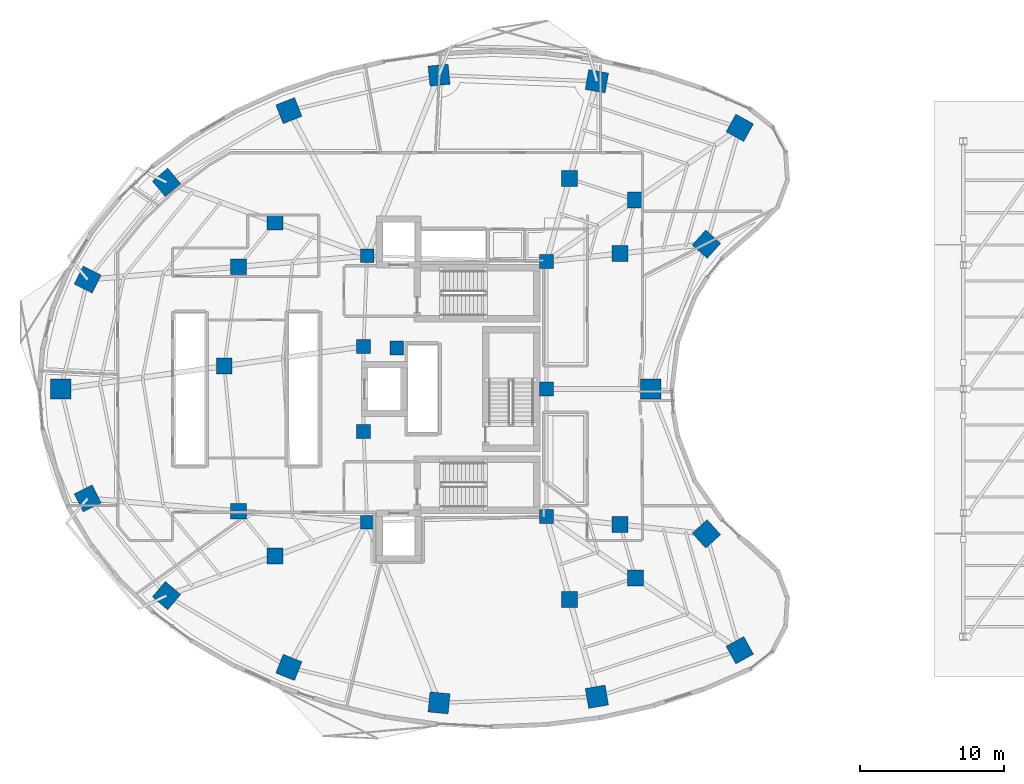
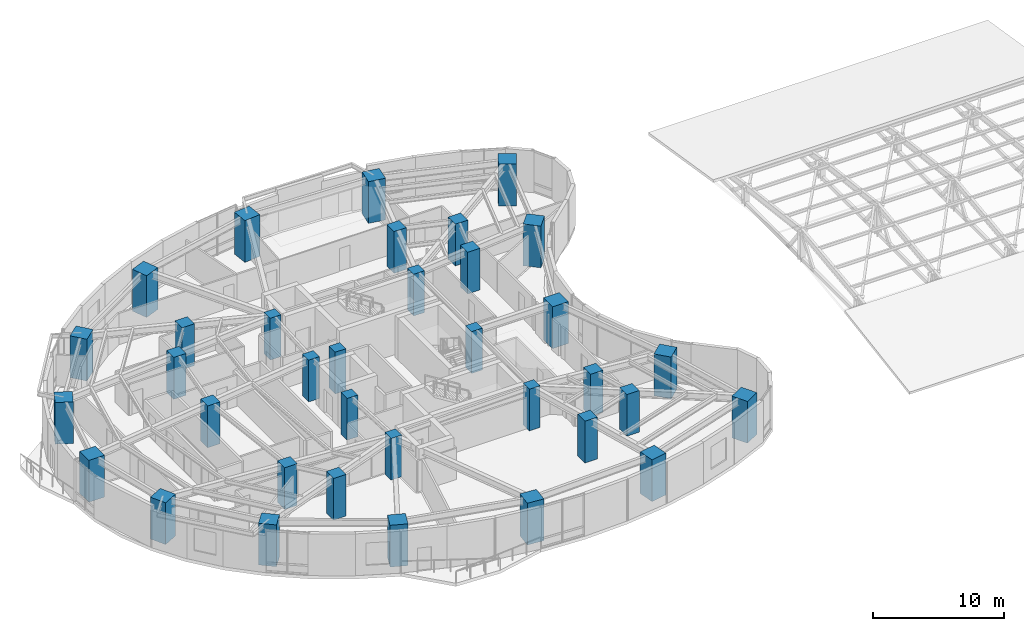
# One storey, part 1 of 17: 35 columns.
"""IFC4 building model written with IfcOpenShell, lengths in metres."""

from ifc_helpers import new_model, si_unit, direction, frame, origin, origin_2d, place, context, subcontext, project, spatial, rectangle, extrude, material, material_profile, profile_set, type_object, element, save


model = new_model("IFC4")

# Units and contexts
model_context = context("Model", 3, precision=1e-05, world=origin(), true_north=direction((0.0, 1.0)))
body_context = subcontext(model_context, "Body", "Model", "MODEL_VIEW")
ifc_project = project(units=[si_unit("LENGTHUNIT", "METRE"), si_unit("AREAUNIT", "SQUARE_METRE"), si_unit("VOLUMEUNIT", "CUBIC_METRE"), si_unit("PLANEANGLEUNIT", "RADIAN"), si_unit("MASSUNIT", "GRAM", prefix="KILO")], contexts=[model_context])

# Site, building, storey
site_placement = place(None, origin())
site = spatial("IfcSite", under=ifc_project, at=site_placement, CompositionType="ELEMENT")
building_placement = place(site_placement, origin())
building = spatial("IfcBuilding", under=site, at=building_placement, Name="Korentha Bioscience Tower", CompositionType="ELEMENT")
storey_placement = place(building_placement, frame((0.0, 0.0, 25.800048828125)))
storey = spatial("IfcBuildingStorey", under=building, at=storey_placement, Name="L05", CompositionType="ELEMENT", Elevation=25.800048828125)

# Columns
ifc_material_1 = material(Name="Concrete C65", Category="concrete")
ifc_material_profile_1 = material_profile(ifc_material_1, rectangle(XDim=0.949951171875, YDim=0.949951171875, at=origin_2d()), Name="Concrete C65")
ifc_profile_set_1 = profile_set([ifc_material_profile_1], Name="Concrete C65 (COL-CP09)")
column_type_1 = type_object("IfcColumnType", Name="Core Pilaster Column RC 950x950", PredefinedType="PILASTER", material=ifc_profile_set_1)
for number, where, z_axis, x_axis, name in (
    (1, (37.550048828125, 35.85009765625, -0.00048828125), (0.0, 0.0, 1.0), (1.0, 0.0, 0.0), "L05 Core Pilaster CP-01"),
    (2, (25.10009765625, 36.25, -0.00048828125), (0.0, 0.0, 1.0), (1.0, 0.0, 0.0), "L05 Core Pilaster CP-02"),
    (3, (24.85009765625, 29.949951171875, -0.00048828125), (0.0, 0.0, 1.0), (1.0, 0.0, 0.0), "L05 Core Pilaster CP-03"),
    (4, (27.14990234375, 29.85009765625, -0.00048828125), (0.0, 0.0, 1.0), (1.0, 0.0, 0.0), "L05 Core Pilaster CP-04"),
    (5, (24.85009765625, 24.050048828125, -0.00048828125), (0.0, 0.0, 1.0), (1.0, 0.0, 0.0), "L05 Core Pilaster CP-05"),
    (6, (25.10009765625, 17.75, -0.00048828125), (0.0, 0.0, 1.0), (1.0, 0.0, 0.0), "L05 Core Pilaster CP-06"),
    (7, (37.550048828125, 18.14990234375, -0.00048828125), (0.0, 0.0, 1.0), (1.0, 0.0, 0.0), "L05 Core Pilaster CP-07"),
    (8, (37.550048828125, 27.0, -0.00048828125), (0.0, 0.0, 1.0), (1.0, 0.0, 0.0), "L05 Core Pilaster CP-08"),
):
    element("IfcColumn", number, at=place(storey_placement, frame(where, z_axis=z_axis, x_axis=x_axis)), inside=storey, type_object=column_type_1, Name=name, PredefinedType="PILASTER", context=body_context, shape_type="SweptSolid", body=[
        extrude(rectangle(XDim=0.949951171875, YDim=0.949951171875, at=origin_2d()), origin(), (0.0, 0.0, 1.0), 3.90087890625),
    ])
ifc_material_2 = material(Name="Concrete C80", Category="concrete")
ifc_material_profile_2 = material_profile(ifc_material_2, rectangle(XDim=1.10009765625, YDim=1.10009765625, at=origin_2d()), Name="Concrete C80")
ifc_profile_set_2 = profile_set([ifc_material_profile_2], Name="Concrete C80 (COL-MR11)")
column_type_2 = type_object("IfcColumnType", Name="Mid-Ring Lab Column RC 1100x1100", PredefinedType="COLUMN", material=ifc_profile_set_2)
for number, where, z_axis, x_axis, name in (
    (9, (43.7265625, 40.121337890625, -0.00048828125), (0.0, 0.0, 1.0), (1.0, 0.0, 0.0), "L05 Mid-Ring Column 01"),
    (10, (39.1611328125, 41.607666015625, -0.00048828125), (0.0, 0.0, 1.0), (1.0, 0.0, 0.0), "L05 Mid-Ring Column 02"),
    (11, (18.692138671875, 38.5947265625, -0.00048828125), (0.0, 0.0, 1.0), (1.0, 0.0, 0.0), "L05 Mid-Ring Column 05"),
    (12, (16.174072265625, 35.489013671875, -0.00048828125), (0.0, 0.0, 1.0), (1.0, 0.0, 0.0), "L05 Mid-Ring Column 06"),
    (13, (15.1787109375, 28.593505859375, -0.00048828125), (0.0, 0.0, 1.0), (1.0, 0.0, 0.0), "L05 Mid-Ring Column 07"),
    (14, (16.174072265625, 18.510986328125, -0.00048828125), (0.0, 0.0, 1.0), (1.0, 0.0, 0.0), "L05 Mid-Ring Column 08"),
    (15, (18.692138671875, 15.4052734375, -0.00048828125), (0.0, 0.0, 1.0), (1.0, 0.0, 0.0), "L05 Mid-Ring Column 09"),
    (16, (39.1611328125, 12.392333984375, -0.00048828125), (0.0, 0.0, 1.0), (1.0, 0.0, 0.0), "L05 Mid-Ring Column 12"),
    (17, (43.7265625, 13.878662109375, -0.00048828125), (0.0, 0.0, 1.0), (1.0, 0.0, 0.0), "L05 Mid-Ring Column 13"),
    (18, (42.66162109375, 17.593017578125, -0.00048828125), (0.0, 0.0, 1.0), (1.0, 0.0, 0.0), "L05 Mid-Ring Column 14"),
    (19, (42.66162109375, 36.406982421875, -0.00048828125), (0.0, 0.0, 1.0), (1.0, 0.0, 0.0), "L05 Mid-Ring Column 16"),
):
    element("IfcColumn", number, at=place(storey_placement, frame(where, z_axis=z_axis, x_axis=x_axis)), inside=storey, type_object=column_type_2, Name=name, PredefinedType="COLUMN", context=body_context, shape_type="SweptSolid", body=[
        extrude(rectangle(XDim=1.10009765625, YDim=1.10009765625, at=origin_2d()), origin(), (0.0, 0.0, 1.0), 3.90087890625),
    ])
ifc_material_profile_3 = material_profile(ifc_material_2, rectangle(XDim=1.39990234375, YDim=1.39990234375, at=origin_2d()), Name="Concrete C80")
ifc_profile_set_3 = profile_set([ifc_material_profile_3], Name="Concrete C80 (COL-P14)")
column_type_3 = type_object("IfcColumnType", Name="Perimeter Column RC 1400x1400", PredefinedType="COLUMN", material=ifc_profile_set_3)
for number, where, z_axis, x_axis, name in (
    (20, (50.977294921875, 45.135498046875, -0.00048828125), (0.0, 0.0, 1.0), (-0.874535078577, 0.484962262797, 0.0), "L05 Perimeter Column 01"),
    (21, (41.052490234375, 48.36669921875, -0.00048828125), (0.0, 0.0, 1.0), (-0.984868307662, 0.173304404339, 0.0), "L05 Perimeter Column 02"),
    (22, (30.09423828125, 48.79248046875, -0.00048828125), (0.0, 0.0, 1.0), (0.995462868748, 0.095150811579, 0.0), "L05 Perimeter Column 03"),
    (23, (19.66650390625, 46.328857421875, -0.00048828125), (0.0, 0.0, 1.0), (0.930225540858, 0.366988341962, 0.0), "L05 Perimeter Column 04"),
    (24, (11.169921875, 41.34716796875, -0.00048828125), (0.0, 0.0, 1.0), (0.764246456939, 0.644924300253, 0.0), "L05 Perimeter Column 05"),
    (25, (5.69580078125, 34.595703125, -0.00048828125), (0.0, 0.0, 1.0), (0.453057191132, 0.891481453292, 0.0), "L05 Perimeter Column 06"),
    (26, (3.825439453125, 27.000732421875, -0.00048828125), (0.0, 0.0, 1.0), (0.0, 1.0, 0.0), "L05 Perimeter Column 07"),
    (27, (5.69580078125, 19.404296875, -0.00048828125), (0.0, 0.0, 1.0), (-0.453057191132, 0.891481453292, 0.0), "L05 Perimeter Column 08"),
    (28, (11.169921875, 12.65283203125, -0.00048828125), (0.0, 0.0, 1.0), (-0.764246456939, 0.644924300253, 0.0), "L05 Perimeter Column 09"),
    (29, (19.66650390625, 7.671142578125, -0.00048828125), (0.0, 0.0, 1.0), (-0.930225540858, 0.366988341962, 0.0), "L05 Perimeter Column 10"),
    (30, (30.09423828125, 5.20751953125, -0.00048828125), (0.0, 0.0, 1.0), (-0.995462868748, 0.095150811579, 0.0), "L05 Perimeter Column 11"),
    (31, (41.052490234375, 5.63330078125, -0.00048828125), (0.0, 0.0, 1.0), (0.984868307662, 0.173304404339, 0.0), "L05 Perimeter Column 12"),
    (32, (50.977294921875, 8.864501953125, -0.00048828125), (0.0, 0.0, 1.0), (0.874535078577, 0.484962262797, 0.0), "L05 Perimeter Column 13"),
    (33, (48.661865234375, 16.939208984375, -0.00048828125), (0.0, 0.0, 1.0), (-0.669130606359, 0.743144825477, 0.0), "L05 Perimeter Column 14"),
    (34, (44.798583984375, 27.0, -0.00048828125), (0.0, 0.0, 1.0), (0.0, 1.0, 0.0), "L05 Perimeter Column 15"),
    (35, (48.661865234375, 37.060791015625, -0.00048828125), (0.0, 0.0, 1.0), (0.669130606359, 0.743144825477, 0.0), "L05 Perimeter Column 16"),
):
    element("IfcColumn", number, at=place(storey_placement, frame(where, z_axis=z_axis, x_axis=x_axis)), inside=storey, type_object=column_type_3, Name=name, PredefinedType="COLUMN", context=body_context, shape_type="SweptSolid", body=[
        extrude(rectangle(XDim=1.39990234375, YDim=1.39990234375, at=origin_2d()), origin(), (0.0, 0.0, 1.0), 3.90087890625),
    ])

save(model, "model.ifc")
